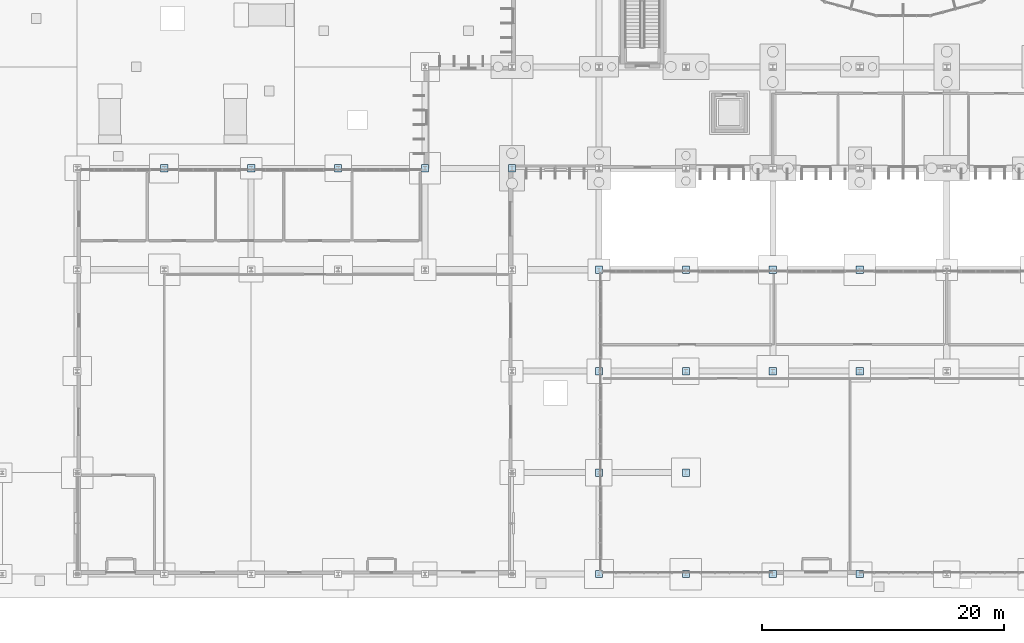
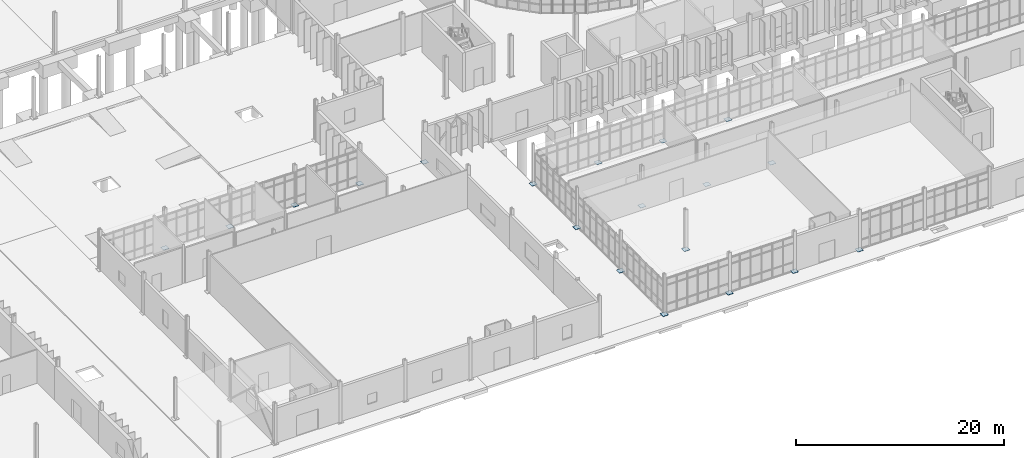
# One storey, part 76 of 118: 19 plates.
"""IFC4 building model written with IfcOpenShell, lengths in metres."""

from ifc_helpers import new_model, si_unit, direction, frame, origin, origin_2d, place, context, subcontext, project, spatial, rectangle, extrude, material, layer, layer_set, type_object, element, save


model = new_model("IFC4")

# Units and contexts
model_context = context("Model", 3, precision=1e-05, world=origin(), true_north=direction((0.0, 1.0)))
body_context = subcontext(model_context, "Body", "Model", "MODEL_VIEW")
ifc_project = project(units=[si_unit("LENGTHUNIT", "METRE"), si_unit("AREAUNIT", "SQUARE_METRE"), si_unit("VOLUMEUNIT", "CUBIC_METRE"), si_unit("PLANEANGLEUNIT", "RADIAN"), si_unit("MASSUNIT", "GRAM", prefix="KILO")], contexts=[model_context])

# Site, building, storey
site_placement = place(None, origin())
site = spatial("IfcSite", under=ifc_project, at=site_placement, CompositionType="ELEMENT")
building_placement = place(site_placement, origin())
building = spatial("IfcBuilding", under=site, at=building_placement, Name="Qelthora Terrace Specialist Clinic", CompositionType="ELEMENT")
storey_placement = place(building_placement, origin())
storey = spatial("IfcBuildingStorey", under=building, at=storey_placement, Name="L00", CompositionType="ELEMENT", Elevation=0.0)

# Plates
ifc_material = material(Name="Steel S355", Category="steel")
ifc_layer = layer(ifc_material, 0.030029296875)
ifc_layer_set = layer_set([ifc_layer], Name="Steel S355")
plate_type = type_object("IfcPlateType", Name="PLT-BASE-600X600X30", PredefinedType="USERDEFINED", material=ifc_layer_set)
for number, where, z_axis, x_axis, name in (
    (1, (64.800048828125, 33.60009765625, 0.0), (0.0, 0.0, 1.0), (1.0, 0.0, 0.0), "Steel column base plate BPLT-083"),
    (2, (72.0, 33.60009765625, 0.0), (0.0, 0.0, 1.0), (1.0, 0.0, 0.0), "Steel column base plate BPLT-091"),
    (3, (79.199951171875, 33.60009765625, 0.0), (0.0, 0.0, 1.0), (1.0, 0.0, 0.0), "Steel column base plate BPLT-099"),
    (4, (86.39990234375, 33.60009765625, 0.0), (0.0, 0.0, 1.0), (1.0, 0.0, 0.0), "Steel column base plate BPLT-107"),
    (5, (93.60009765625, 33.60009765625, 0.0), (0.0, 0.0, 1.0), (1.0, 0.0, 0.0), "Steel column base plate BPLT-118"),
    (6, (100.800048828125, 0.0, 0.0), (0.0, 0.0, 1.0), (1.0, 0.0, 0.0), "Steel column base plate BPLT-128"),
    (7, (100.800048828125, 8.39990234375, 0.0), (0.0, 0.0, 1.0), (1.0, 0.0, 0.0), "Steel column base plate BPLT-129"),
    (8, (100.800048828125, 16.800048828125, 0.0), (0.0, 0.0, 1.0), (1.0, 0.0, 0.0), "Steel column base plate BPLT-130"),
    (9, (100.800048828125, 25.199951171875, 0.0), (0.0, 0.0, 1.0), (1.0, 0.0, 0.0), "Steel column base plate BPLT-131"),
    (10, (108.0, 0.0, 0.0), (0.0, 0.0, 1.0), (1.0, 0.0, 0.0), "Steel column base plate BPLT-142"),
    (11, (108.0, 8.39990234375, 0.0), (0.0, 0.0, 1.0), (1.0, 0.0, 0.0), "Steel column base plate BPLT-143"),
    (12, (108.0, 16.800048828125, 0.0), (0.0, 0.0, 1.0), (1.0, 0.0, 0.0), "Steel column base plate BPLT-144"),
    (13, (108.0, 25.199951171875, 0.0), (0.0, 0.0, 1.0), (1.0, 0.0, 0.0), "Steel column base plate BPLT-145"),
    (14, (115.199951171875, 0.0, 0.0), (0.0, 0.0, 1.0), (1.0, 0.0, 0.0), "Steel column base plate BPLT-156"),
    (15, (115.199951171875, 16.800048828125, 0.0), (0.0, 0.0, 1.0), (1.0, 0.0, 0.0), "Steel column base plate BPLT-157"),
    (16, (115.199951171875, 25.199951171875, 0.0), (0.0, 0.0, 1.0), (1.0, 0.0, 0.0), "Steel column base plate BPLT-158"),
    (17, (122.39990234375, 0.0, 0.0), (0.0, 0.0, 1.0), (1.0, 0.0, 0.0), "Steel column base plate BPLT-165"),
    (18, (122.39990234375, 16.800048828125, 0.0), (0.0, 0.0, 1.0), (1.0, 0.0, 0.0), "Steel column base plate BPLT-166"),
    (19, (122.39990234375, 25.199951171875, 0.0), (0.0, 0.0, 1.0), (1.0, 0.0, 0.0), "Steel column base plate BPLT-167"),
):
    element("IfcPlate", number, at=place(storey_placement, frame(where, z_axis=z_axis, x_axis=x_axis)), inside=storey, type_object=plate_type, Name=name, ObjectType="GUSSET PLATE", PredefinedType="USERDEFINED", context=body_context, shape_type="SweptSolid", body=[
        extrude(rectangle(XDim=0.60009765625, YDim=0.60009765625, at=origin_2d()), origin(), (0.0, 0.0, 1.0), 0.030029296875),
    ])

save(model, "model.ifc")
